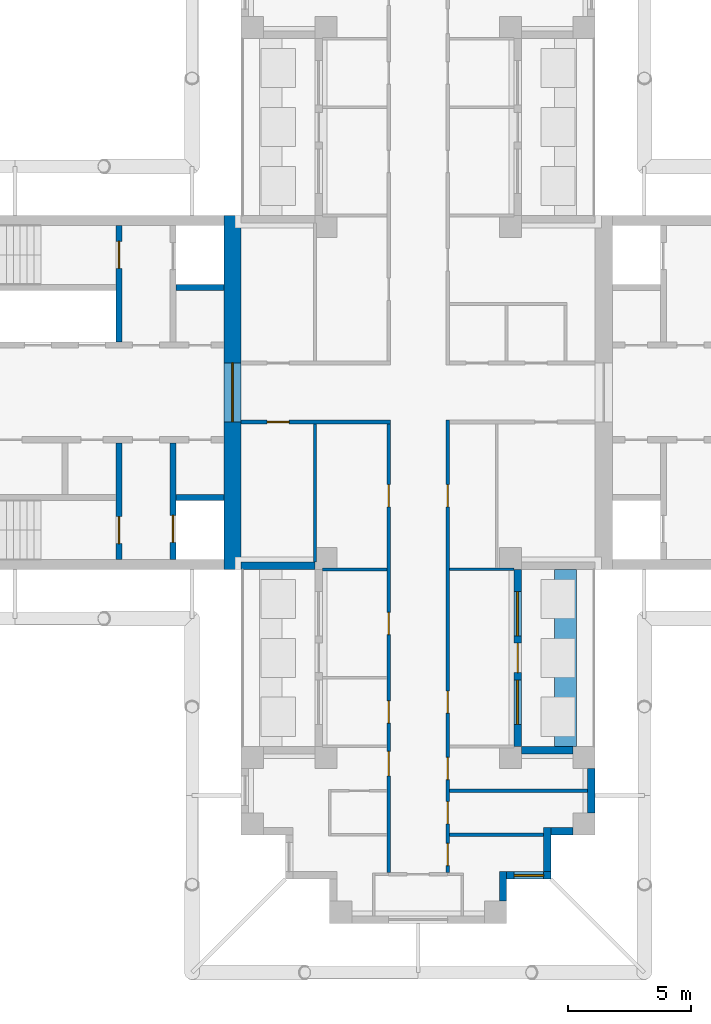
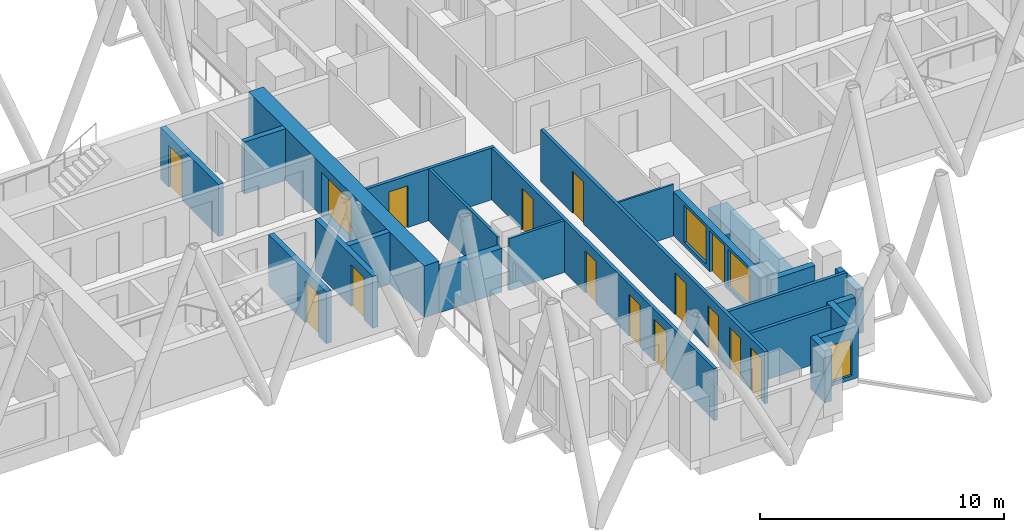
# One storey, part 5 of 12: 23 walls, 15 doors, 3 windows, 18 openings.
"""IFC4 building model written with IfcOpenShell, lengths in metres."""

import ifcopenshell
import ifcopenshell.guid

model = None  # the IFC model being written
_history = None  # IfcOwnerHistory: only IFC2X3 demands one
_inside = {}  # id of a spatial element -> (the spatial element, [elements in it])
_under = {}  # id of a project, library or spatial element -> (it, [spatial elements below it])
_declared = {}  # id of a project -> (the project, [libraries it declares])
_typed = {}  # id of a type object -> (the type object, [elements of that type])
_made_of = {}  # id of a material, layer set ... -> (it, [elements and type objects made of it])


def new_model(schema):
    """Start an empty IFC model of exactly this schema.

    Asked for "IFC4X3", IfcOpenShell would pick the latest addendum, in which some entities
    have other attributes; the version numbers below select the first issue.
    IFC2X3 requires an IfcOwnerHistory on every rooted entity: one is made here for all.
    """
    global model, _history
    if schema == "IFC4X3":
        model = ifcopenshell.file(schema_version=(4, 3, 0, 0))
    else:
        model = ifcopenshell.file(schema=schema)
    _inside.clear()
    _under.clear()
    _declared.clear()
    _typed.clear()
    _made_of.clear()
    _history = None
    if model.schema == "IFC2X3":
        org = make("IfcOrganization", Name="unknown")
        user = make(
            "IfcPersonAndOrganization",
            ThePerson=make("IfcPerson", FamilyName="unknown"),
            TheOrganization=org,
        )
        app = make(
            "IfcApplication",
            ApplicationDeveloper=org,
            Version="unknown",
            ApplicationFullName="unknown",
            ApplicationIdentifier="unknown",
        )
        _history = make(
            "IfcOwnerHistory",
            OwningUser=user,
            OwningApplication=app,
            ChangeAction="ADDED",
            CreationDate=0,
        )
    return model


def make(cls, **values):
    """One entity of the class cls with the attributes given. An attribute that is None is left unset."""
    return model.create_entity(
        cls, **{name: value for name, value in values.items() if value is not None}
    )


def rooted(cls, **values):
    """An entity with a GlobalId (a new one), such as an element, a storey or a relation."""
    return make(cls, GlobalId=ifcopenshell.guid.new(), OwnerHistory=_history, **values)


def si_unit(unit_type, name, prefix=None):
    """IfcSIUnit, for example si_unit("LENGTHUNIT", "METRE", prefix="MILLI")."""
    return make("IfcSIUnit", UnitType=unit_type, Prefix=prefix, Name=name)


def assignment(units):
    """IfcUnitAssignment: the units of a project."""
    return None if units is None else make("IfcUnitAssignment", Units=units)


def point(xyz):
    """IfcCartesianPoint."""
    return None if xyz is None else make("IfcCartesianPoint", Coordinates=xyz)


def direction(xyz):
    """IfcDirection."""
    return None if xyz is None else make("IfcDirection", DirectionRatios=xyz)


def frame(location, z_axis=None, x_axis=None):
    """IfcAxis2Placement3D, a coordinate frame: its origin and axes. An axis left out is left unset."""
    return make(
        "IfcAxis2Placement3D",
        Location=point(location),
        Axis=direction(z_axis),
        RefDirection=direction(x_axis),
    )


def frame_2d(location, x_axis=None):
    """IfcAxis2Placement2D, a coordinate frame in the plane: its origin and x axis."""
    return make(
        "IfcAxis2Placement2D", Location=point(location), RefDirection=direction(x_axis)
    )


def origin():
    """The frame at (0, 0, 0) with its axes left unset."""
    return frame((0.0, 0.0, 0.0))


def place(relative_to, where):
    """IfcLocalPlacement: puts the frame where relative to a parent placement (None: the world)."""
    return make(
        "IfcLocalPlacement", PlacementRelTo=relative_to, RelativePlacement=where
    )


def context(
    kind, dimensions, precision=None, world=None, true_north=None, identifier=None
):
    """IfcGeometricRepresentationContext, for example the 3D "Model" context."""
    return make(
        "IfcGeometricRepresentationContext",
        ContextIdentifier=identifier,
        ContextType=kind,
        CoordinateSpaceDimension=dimensions,
        Precision=precision,
        WorldCoordinateSystem=world,
        TrueNorth=true_north,
    )


def subcontext(parent, identifier, kind, view, scale=None):
    """IfcGeometricRepresentationSubContext, for example "Body" below "Model"."""
    return make(
        "IfcGeometricRepresentationSubContext",
        ContextIdentifier=identifier,
        ContextType=kind,
        ParentContext=parent,
        TargetScale=scale,
        TargetView=view,
    )


def project(units=None, contexts=None):
    """IfcProject with its units and contexts."""
    return rooted(
        "IfcProject",
        Name="project",
        RepresentationContexts=contexts,
        UnitsInContext=assignment(units),
    )


def spatial(cls, under=None, at=None, **own):
    """A site, building, storey or space (cls), placed at a placement, below another one or the project."""
    s = rooted(cls, ObjectPlacement=at, **own)
    if under is not None:
        _under.setdefault(under.id(), (under, []))[1].append(s)
    return s


def profile(cls, at=None, kind="AREA", **sizes):
    """A parametric profile (cls). Its sizes go by their IFC names, for example OverallWidth=200.0."""
    return make(cls, ProfileType=kind, Position=at, **sizes)


def rectangle(**sizes):
    """IfcRectangleProfileDef."""
    return profile("IfcRectangleProfileDef", **sizes)


def extrude(swept, where, along, depth):
    """IfcExtrudedAreaSolid: the profile swept, set in the frame where, extruded along a direction by depth."""
    return make(
        "IfcExtrudedAreaSolid",
        SweptArea=swept,
        Position=where,
        ExtrudedDirection=direction(along),
        Depth=depth,
    )


def shape(context_of_items, identifier, shape_type, items):
    """IfcShapeRepresentation: the items that make up one representation, for example the "Body"."""
    return make(
        "IfcShapeRepresentation",
        ContextOfItems=context_of_items,
        RepresentationIdentifier=identifier,
        RepresentationType=shape_type,
        Items=items,
    )


def material(Name=None, Category=None):
    """IfcMaterial."""
    return make("IfcMaterial", Name=Name, Category=Category)


def layer(
    of_material, thickness, ventilated=None, Name=None, Category=None, Priority=None
):
    """IfcMaterialLayer: one layer of a wall or slab, of a material (None: an air gap)."""
    return make(
        "IfcMaterialLayer",
        Material=of_material,
        LayerThickness=thickness,
        IsVentilated=ventilated,
        Name=Name,
        Category=Category,
        Priority=Priority,
    )


def layer_set(layers, Name=None):
    """IfcMaterialLayerSet."""
    return make("IfcMaterialLayerSet", MaterialLayers=layers, LayerSetName=Name)


def made_of(thing, what):
    """Note that an element or type object is made of a material, layer set ...; save() writes the relation."""
    if what is not None:
        _made_of.setdefault(what.id(), (what, []))[1].append(thing)
    return thing


def type_object(cls, material=None, **own):
    """A type object (cls), such as IfcWallType, which elements share."""
    return made_of(rooted(cls, **own), material)


def element(
    cls,
    number,
    at=None,
    inside=None,
    cuts=None,
    type_object=None,
    material=None,
    context=None,
    identifier="Body",
    shape_type=None,
    held_by="IfcProductDefinitionShape",
    body=None,
    shapes=None,
    **own,
):
    """One element of the class cls, such as IfcWall. Its Tag is "e" and its number.

    at: its placement. inside: the storey or other place that contains it. cuts: it is an
    opening in that element (IfcRelVoidsElement). A single representation is given by context,
    identifier, shape_type and body (its items); several are given by shapes. held_by: the class
    of the entity that holds the representations. save() writes the other relations.
    """
    e = rooted(cls, Tag="e%d" % number, ObjectPlacement=at, **own)
    if body is not None:
        shapes = [shape(context, identifier, shape_type, body)]
    if shapes is not None:
        e.Representation = make(held_by, Representations=shapes)
    if inside is not None:
        _inside.setdefault(inside.id(), (inside, []))[1].append(e)
    if cuts is not None:
        rooted(
            "IfcRelVoidsElement", RelatingBuildingElement=cuts, RelatedOpeningElement=e
        )
    if type_object is not None:
        _typed.setdefault(type_object.id(), (type_object, []))[1].append(e)
    return made_of(e, material)


def fill(opening, filler):
    """IfcRelFillsElement: the door or window that sits in an opening."""
    return rooted(
        "IfcRelFillsElement",
        RelatingOpeningElement=opening,
        RelatedBuildingElement=filler,
    )


def aggregate(whole, parts):
    """IfcRelAggregates: a whole, such as a stair, and the parts it consists of."""
    return rooted("IfcRelAggregates", RelatingObject=whole, RelatedObjects=parts)


def save(model, path):
    """Write the relations noted so far, then the file.

    IfcRelAggregates (storeys below a building ...), IfcRelContainedInSpatialStructure (elements
    in a storey), IfcRelDefinesByType, IfcRelAssociatesMaterial and IfcRelDeclares: one each for
    every whole, place, type object, material and project.
    """
    for whole, parts in _under.values():
        aggregate(whole, parts)
    for where, things in _inside.values():
        rooted(
            "IfcRelContainedInSpatialStructure",
            RelatedElements=things,
            RelatingStructure=where,
        )
    for kind, things in _typed.values():
        rooted("IfcRelDefinesByType", RelatedObjects=things, RelatingType=kind)
    for what, things in _made_of.values():
        rooted("IfcRelAssociatesMaterial", RelatedObjects=things, RelatingMaterial=what)
    for by, libraries in _declared.values():
        rooted("IfcRelDeclares", RelatingContext=by, RelatedDefinitions=libraries)
    model.write(path)


model = new_model("IFC4")

# Units and contexts
model_context = context("Model", 3, precision=1e-05, world=origin(), true_north=direction((0.0, 1.0)))
body_context = subcontext(model_context, "Body", "Model", "MODEL_VIEW")
ifc_project = project(units=[si_unit("LENGTHUNIT", "METRE"), si_unit("AREAUNIT", "SQUARE_METRE"), si_unit("VOLUMEUNIT", "CUBIC_METRE"), si_unit("PLANEANGLEUNIT", "RADIAN"), si_unit("MASSUNIT", "GRAM", prefix="KILO")], contexts=[model_context])

# Site, building, storey
site_placement = place(None, origin())
site = spatial("IfcSite", under=ifc_project, at=site_placement, CompositionType="ELEMENT")
building_placement = place(site_placement, origin())
building = spatial("IfcBuilding", under=site, at=building_placement, Name="Fustian Cross Tower", CompositionType="ELEMENT")
storey_placement = place(building_placement, frame((0.0, 0.0, 179.699951171875)))
storey = spatial("IfcBuildingStorey", under=building, at=storey_placement, Name="L56", CompositionType="ELEMENT", Elevation=179.699951171875)

# Wall, opening, door
ifc_material_1 = material(Name="Plasterboard on steel stud", Category="steel")
ifc_layer_1 = layer(ifc_material_1, 0.14990234375)
ifc_layer_set_1 = layer_set([ifc_layer_1], Name="Plasterboard on steel stud")
wall_type_1 = type_object("IfcWallType", Name="COMPARTMENT WALL 150 EI 60", PredefinedType="PARTITIONING", material=ifc_layer_set_1)
wall_1_placement = place(storey_placement, frame((-7.199951171875, -1.199951171875, 0.0), z_axis=(0.0, 0.0, 1.0), x_axis=(1.0, 0.0, 0.0)))
wall_1 = element("IfcWall", 1, at=wall_1_placement, inside=storey, type_object=wall_type_1, Name="Partition 13", PredefinedType="PARTITIONING", context=body_context, shape_type="SweptSolid", body=[
    extrude(rectangle(XDim=6.074951171875, YDim=0.14990234375, at=frame_2d((3.03759765625, 0.0))), origin(), (0.0, 0.0, 1.0), 2.60009765625),
])
opening_1_placement = place(wall_1_placement, frame((1.050048828125, 0.0, 0.0)))
opening_1 = element("IfcOpeningElement", 2, at=opening_1_placement, cuts=wall_1, Name="Opening D26009", PredefinedType="OPENING", context=body_context, shape_type="SweptSolid", body=[
    extrude(rectangle(XDim=0.89990234375, YDim=2.10009765625, at=frame_2d((0.449951171875, 1.050048828125))), frame((0.0, 0.0849609375, 0.0), z_axis=(0.0, -1.0, 0.0), x_axis=(1.0, 0.0, 0.0)), (0.0, 0.0, 1.0), 0.169921875),
])
ifc_material_2 = material(Name="Timber fire door set", Category="wood")
door_type_1 = type_object("IfcDoorType", Name="FIRE SWING DOOR 900 FD30S", OperationType="SINGLE_SWING_LEFT", PredefinedType="DOOR", material=ifc_material_2)
door_1_placement = place(opening_1_placement, frame((0.89990234375, 0.0, 0.0), z_axis=(0.0, 0.0, 1.0), x_axis=(-1.0, 0.0, 0.0)))
door_1 = element("IfcDoor", 3, at=door_1_placement, inside=storey, type_object=door_type_1, Name="Door D26009", OperationType="SINGLE_SWING_LEFT", OverallHeight=2.10009765625, OverallWidth=0.89990234375, PredefinedType="DOOR", context=body_context, shape_type="SweptSolid", body=[
    extrude(rectangle(XDim=0.89990234375, YDim=2.10009765625, at=frame_2d((0.449951171875, 1.050048828125))), frame((0.0, 0.02490234375, 0.0), z_axis=(0.0, -1.0, 0.0), x_axis=(1.0, 0.0, 0.0)), (0.0, 0.0, 1.0), 0.050048828125),
])
fill(opening_1, door_1)

# Wall, openings, doors
wall_2_placement = place(storey_placement, frame((-1.199951171875, -19.52490234375, 0.0), z_axis=(0.0, 0.0, 1.0), x_axis=(0.0, 1.0, 0.0)))
wall_2 = element("IfcWall", 4, at=wall_2_placement, inside=storey, type_object=wall_type_1, Name="Partition 31", PredefinedType="PARTITIONING", context=body_context, shape_type="SweptSolid", body=[
    extrude(rectangle(XDim=18.25, YDim=0.14990234375, at=frame_2d((9.125, 0.0))), origin(), (0.0, 0.0, 1.0), 2.60009765625),
])
opening_2_placement = place(wall_2_placement, frame((14.875, 0.0, 0.0)))
opening_2 = element("IfcOpeningElement", 5, at=opening_2_placement, cuts=wall_2, Name="Opening D26008", PredefinedType="OPENING", context=body_context, shape_type="SweptSolid", body=[
    extrude(rectangle(XDim=0.89990234375, YDim=2.10009765625, at=frame_2d((0.449951171875, 1.050048828125))), frame((0.0, 0.0849609375, 0.0), z_axis=(0.0, -1.0, 0.0), x_axis=(1.0, 0.0, 0.0)), (0.0, 0.0, 1.0), 0.169921875),
])
opening_3_placement = place(wall_2_placement, frame((6.074951171875, 0.0, 0.0)))
opening_3 = element("IfcOpeningElement", 6, at=opening_3_placement, cuts=wall_2, Name="Opening D26043", PredefinedType="OPENING", context=body_context, shape_type="SweptSolid", body=[
    extrude(rectangle(XDim=0.89990234375, YDim=2.10009765625, at=frame_2d((0.449951171875, 1.050048828125))), frame((0.0, 0.0849609375, 0.0), z_axis=(0.0, -1.0, 0.0), x_axis=(1.0, 0.0, 0.0)), (0.0, 0.0, 1.0), 0.169921875),
])
opening_4_placement = place(wall_2_placement, frame((9.675048828125, 0.0, 0.0)))
opening_4 = element("IfcOpeningElement", 7, at=opening_4_placement, cuts=wall_2, Name="Opening D26044", PredefinedType="OPENING", context=body_context, shape_type="SweptSolid", body=[
    extrude(rectangle(XDim=0.89990234375, YDim=2.10009765625, at=frame_2d((0.449951171875, 1.050048828125))), frame((0.0, 0.0849609375, 0.0), z_axis=(0.0, -1.0, 0.0), x_axis=(1.0, 0.0, 0.0)), (0.0, 0.0, 1.0), 0.169921875),
])
opening_5_placement = place(wall_2_placement, frame((3.925048828125, 0.0, 0.0)))
opening_5 = element("IfcOpeningElement", 8, at=opening_5_placement, cuts=wall_2, Name="Opening D26046", PredefinedType="OPENING", context=body_context, shape_type="SweptSolid", body=[
    extrude(rectangle(XDim=1.0, YDim=2.10009765625, at=frame_2d((0.5, 1.050048828125))), frame((0.0, 0.0849609375, 0.0), z_axis=(0.0, -1.0, 0.0), x_axis=(1.0, 0.0, 0.0)), (0.0, 0.0, 1.0), 0.169921875),
])
ifc_material_3 = material(Name="Timber fire door set", Category="wood")
door_type_2 = type_object("IfcDoorType", Name="FIRE SWING DOOR 1000 FD30S", OperationType="SINGLE_SWING_LEFT", PredefinedType="DOOR", material=ifc_material_3)
door_2_placement = place(opening_5_placement, origin())
door_2 = element("IfcDoor", 9, at=door_2_placement, inside=storey, type_object=door_type_2, Name="Door D26046", OperationType="SINGLE_SWING_RIGHT", OverallHeight=2.10009765625, OverallWidth=1.0, PredefinedType="DOOR", context=body_context, shape_type="SweptSolid", body=[
    extrude(rectangle(XDim=1.0, YDim=2.10009765625, at=frame_2d((0.5, 1.050048828125))), frame((0.0, 0.02490234375, 0.0), z_axis=(0.0, -1.0, 0.0), x_axis=(1.0, 0.0, 0.0)), (0.0, 0.0, 1.0), 0.050048828125),
])
fill(opening_5, door_2)
door_3_placement = place(opening_2_placement, origin())
door_3 = element("IfcDoor", 10, at=door_3_placement, inside=storey, type_object=door_type_1, Name="Door D26008", OperationType="SINGLE_SWING_LEFT", OverallHeight=2.10009765625, OverallWidth=0.89990234375, PredefinedType="DOOR", context=body_context, shape_type="SweptSolid", body=[
    extrude(rectangle(XDim=0.89990234375, YDim=2.10009765625, at=frame_2d((0.449951171875, 1.050048828125))), frame((0.0, 0.02490234375, 0.0), z_axis=(0.0, -1.0, 0.0), x_axis=(1.0, 0.0, 0.0)), (0.0, 0.0, 1.0), 0.050048828125),
])
fill(opening_2, door_3)
door_4_placement = place(opening_3_placement, origin())
door_4 = element("IfcDoor", 11, at=door_4_placement, inside=storey, type_object=door_type_1, Name="Door D26043", OperationType="SINGLE_SWING_LEFT", OverallHeight=2.10009765625, OverallWidth=0.89990234375, PredefinedType="DOOR", context=body_context, shape_type="SweptSolid", body=[
    extrude(rectangle(XDim=0.89990234375, YDim=2.10009765625, at=frame_2d((0.449951171875, 1.050048828125))), frame((0.0, 0.02490234375, 0.0), z_axis=(0.0, -1.0, 0.0), x_axis=(1.0, 0.0, 0.0)), (0.0, 0.0, 1.0), 0.050048828125),
])
fill(opening_3, door_4)
door_5_placement = place(opening_4_placement, origin())
door_5 = element("IfcDoor", 12, at=door_5_placement, inside=storey, type_object=door_type_1, Name="Door D26044", OperationType="SINGLE_SWING_LEFT", OverallHeight=2.10009765625, OverallWidth=0.89990234375, PredefinedType="DOOR", context=body_context, shape_type="SweptSolid", body=[
    extrude(rectangle(XDim=0.89990234375, YDim=2.10009765625, at=frame_2d((0.449951171875, 1.050048828125))), frame((0.0, 0.02490234375, 0.0), z_axis=(0.0, -1.0, 0.0), x_axis=(1.0, 0.0, 0.0)), (0.0, 0.0, 1.0), 0.050048828125),
])
fill(opening_4, door_5)

wall_3_placement = place(storey_placement, frame((1.199951171875, -19.52490234375, 0.0), z_axis=(0.0, 0.0, 1.0), x_axis=(0.0, 1.0, 0.0)))
wall_3 = element("IfcWall", 13, at=wall_3_placement, inside=storey, type_object=wall_type_1, Name="Partition 35", PredefinedType="PARTITIONING", context=body_context, shape_type="SweptSolid", body=[
    extrude(rectangle(XDim=18.39990234375, YDim=0.14990234375, at=frame_2d((9.199951171875, 0.0))), origin(), (0.0, 0.0, 1.0), 2.60009765625),
])
opening_6_placement = place(wall_3_placement, frame((14.875, 0.0, 0.0)))
opening_6 = element("IfcOpeningElement", 14, at=opening_6_placement, cuts=wall_3, Name="Opening D26006", PredefinedType="OPENING", context=body_context, shape_type="SweptSolid", body=[
    extrude(rectangle(XDim=0.89990234375, YDim=2.10009765625, at=frame_2d((0.449951171875, 1.050048828125))), frame((0.0, 0.0849609375, 0.0), z_axis=(0.0, -1.0, 0.0), x_axis=(1.0, 0.0, 0.0)), (0.0, 0.0, 1.0), 0.169921875),
])
opening_7_placement = place(wall_3_placement, frame((6.47509765625, 0.0, 0.0)))
opening_7 = element("IfcOpeningElement", 15, at=opening_7_placement, cuts=wall_3, Name="Opening D26039", PredefinedType="OPENING", context=body_context, shape_type="SweptSolid", body=[
    extrude(rectangle(XDim=0.89990234375, YDim=2.10009765625, at=frame_2d((0.449951171875, 1.050048828125))), frame((0.0, 0.0849609375, 0.0), z_axis=(0.0, -1.0, 0.0), x_axis=(1.0, 0.0, 0.0)), (0.0, 0.0, 1.0), 0.169921875),
])
opening_8_placement = place(wall_3_placement, frame((3.77490234375, 0.0, 0.0)))
opening_8 = element("IfcOpeningElement", 16, at=opening_8_placement, cuts=wall_3, Name="Opening D26040", PredefinedType="OPENING", context=body_context, shape_type="SweptSolid", body=[
    extrude(rectangle(XDim=0.89990234375, YDim=2.10009765625, at=frame_2d((0.449951171875, 1.050048828125))), frame((0.0, 0.0849609375, 0.0), z_axis=(0.0, -1.0, 0.0), x_axis=(1.0, 0.0, 0.0)), (0.0, 0.0, 1.0), 0.169921875),
])
opening_9_placement = place(wall_3_placement, frame((1.97509765625, 0.0, 0.0)))
opening_9 = element("IfcOpeningElement", 17, at=opening_9_placement, cuts=wall_3, Name="Opening D26041", PredefinedType="OPENING", context=body_context, shape_type="SweptSolid", body=[
    extrude(rectangle(XDim=0.89990234375, YDim=2.10009765625, at=frame_2d((0.449951171875, 1.050048828125))), frame((0.0, 0.0849609375, 0.0), z_axis=(0.0, -1.0, 0.0), x_axis=(1.0, 0.0, 0.0)), (0.0, 0.0, 1.0), 0.169921875),
])
opening_10_placement = place(wall_3_placement, frame((0.27490234375, 0.0, 0.0)))
opening_10 = element("IfcOpeningElement", 18, at=opening_10_placement, cuts=wall_3, Name="Opening D26042", PredefinedType="OPENING", context=body_context, shape_type="SweptSolid", body=[
    extrude(rectangle(XDim=0.89990234375, YDim=2.10009765625, at=frame_2d((0.449951171875, 1.050048828125))), frame((0.0, 0.0849609375, 0.0), z_axis=(0.0, -1.0, 0.0), x_axis=(1.0, 0.0, 0.0)), (0.0, 0.0, 1.0), 0.169921875),
])
door_6_placement = place(opening_6_placement, frame((0.89990234375, 0.0, 0.0), z_axis=(0.0, 0.0, 1.0), x_axis=(-1.0, 0.0, 0.0)))
door_6 = element("IfcDoor", 19, at=door_6_placement, inside=storey, type_object=door_type_1, Name="Door D26006", OperationType="SINGLE_SWING_RIGHT", OverallHeight=2.10009765625, OverallWidth=0.89990234375, PredefinedType="DOOR", context=body_context, shape_type="SweptSolid", body=[
    extrude(rectangle(XDim=0.89990234375, YDim=2.10009765625, at=frame_2d((0.449951171875, 1.050048828125))), frame((0.0, 0.02490234375, 0.0), z_axis=(0.0, -1.0, 0.0), x_axis=(1.0, 0.0, 0.0)), (0.0, 0.0, 1.0), 0.050048828125),
])
fill(opening_6, door_6)
door_7_placement = place(opening_7_placement, frame((0.89990234375, 0.0, 0.0), z_axis=(0.0, 0.0, 1.0), x_axis=(-1.0, 0.0, 0.0)))
door_7 = element("IfcDoor", 20, at=door_7_placement, inside=storey, type_object=door_type_1, Name="Door D26039", OperationType="SINGLE_SWING_RIGHT", OverallHeight=2.10009765625, OverallWidth=0.89990234375, PredefinedType="DOOR", context=body_context, shape_type="SweptSolid", body=[
    extrude(rectangle(XDim=0.89990234375, YDim=2.10009765625, at=frame_2d((0.449951171875, 1.050048828125))), frame((0.0, 0.02490234375, 0.0), z_axis=(0.0, -1.0, 0.0), x_axis=(1.0, 0.0, 0.0)), (0.0, 0.0, 1.0), 0.050048828125),
])
fill(opening_7, door_7)
door_8_placement = place(opening_8_placement, frame((0.89990234375, 0.0, 0.0), z_axis=(0.0, 0.0, 1.0), x_axis=(-1.0, 0.0, 0.0)))
door_8 = element("IfcDoor", 21, at=door_8_placement, inside=storey, type_object=door_type_1, Name="Door D26040", OperationType="SINGLE_SWING_LEFT", OverallHeight=2.10009765625, OverallWidth=0.89990234375, PredefinedType="DOOR", context=body_context, shape_type="SweptSolid", body=[
    extrude(rectangle(XDim=0.89990234375, YDim=2.10009765625, at=frame_2d((0.449951171875, 1.050048828125))), frame((0.0, 0.02490234375, 0.0), z_axis=(0.0, -1.0, 0.0), x_axis=(1.0, 0.0, 0.0)), (0.0, 0.0, 1.0), 0.050048828125),
])
fill(opening_8, door_8)
door_9_placement = place(opening_9_placement, frame((0.89990234375, 0.0, 0.0), z_axis=(0.0, 0.0, 1.0), x_axis=(-1.0, 0.0, 0.0)))
door_9 = element("IfcDoor", 22, at=door_9_placement, inside=storey, type_object=door_type_1, Name="Door D26041", OperationType="SINGLE_SWING_LEFT", OverallHeight=2.10009765625, OverallWidth=0.89990234375, PredefinedType="DOOR", context=body_context, shape_type="SweptSolid", body=[
    extrude(rectangle(XDim=0.89990234375, YDim=2.10009765625, at=frame_2d((0.449951171875, 1.050048828125))), frame((0.0, 0.02490234375, 0.0), z_axis=(0.0, -1.0, 0.0), x_axis=(1.0, 0.0, 0.0)), (0.0, 0.0, 1.0), 0.050048828125),
])
fill(opening_9, door_9)
door_10_placement = place(opening_10_placement, frame((0.89990234375, 0.0, 0.0), z_axis=(0.0, 0.0, 1.0), x_axis=(-1.0, 0.0, 0.0)))
door_10 = element("IfcDoor", 23, at=door_10_placement, inside=storey, type_object=door_type_1, Name="Door D26042", OperationType="SINGLE_SWING_RIGHT", OverallHeight=2.10009765625, OverallWidth=0.89990234375, PredefinedType="DOOR", context=body_context, shape_type="SweptSolid", body=[
    extrude(rectangle(XDim=0.89990234375, YDim=2.10009765625, at=frame_2d((0.449951171875, 1.050048828125))), frame((0.0, 0.02490234375, 0.0), z_axis=(0.0, -1.0, 0.0), x_axis=(1.0, 0.0, 0.0)), (0.0, 0.0, 1.0), 0.050048828125),
])
fill(opening_10, door_10)

# Walls
wall_4_placement = place(storey_placement, frame((1.27490234375, -18.0, 0.0), z_axis=(0.0, 0.0, 1.0), x_axis=(1.0, 0.0, 0.0)))
element("IfcWall", 24, at=wall_4_placement, inside=storey, type_object=wall_type_1, Name="Partition 37", PredefinedType="PARTITIONING", context=body_context, shape_type="SweptSolid", body=[
    extrude(rectangle(XDim=3.8251953125, YDim=0.14990234375, at=frame_2d((1.91259765625, 0.0))), origin(), (0.0, 0.0, 1.0), 2.60009765625),
])
wall_5_placement = place(storey_placement, frame((1.27490234375, -16.199951171875, 0.0), z_axis=(0.0, 0.0, 1.0), x_axis=(1.0, 0.0, 0.0)))
element("IfcWall", 25, at=wall_5_placement, inside=storey, type_object=wall_type_1, Name="Partition 38", PredefinedType="PARTITIONING", context=body_context, shape_type="SweptSolid", body=[
    extrude(rectangle(XDim=5.625, YDim=0.14990234375, at=frame_2d((2.8125, 0.0))), origin(), (0.0, 0.0, 1.0), 2.60009765625),
])

# Wall, opening, door
ifc_material_4 = material(Name="Concrete C50/60", Category="concrete")
ifc_layer_2 = layer(ifc_material_4, 0.699951171875)
ifc_layer_set_2 = layer_set([ifc_layer_2], Name="Concrete C50/60")
wall_type_2 = type_object("IfcWallType", Name="CORE END WALL 700 C50/60", PredefinedType="SHEAR", material=ifc_layer_set_2)
wall_6_placement = place(storey_placement, frame((-7.550048828125, -7.199951171875, 0.0), z_axis=(0.0, 0.0, 1.0), x_axis=(0.0, 1.0, 0.0)))
wall_6 = element("IfcWall", 26, at=wall_6_placement, inside=storey, type_object=wall_type_2, Name="Core end wall", PredefinedType="SHEAR", context=body_context, shape_type="SweptSolid", body=[
    extrude(rectangle(XDim=14.39990234375, YDim=0.699951171875, at=frame_2d((7.199951171875, 0.0))), origin(), (0.0, 0.0, 1.0), 2.60009765625),
])
opening_11_placement = place(wall_6_placement, frame((6.0, 0.0, 0.0)))
opening_11 = element("IfcOpeningElement", 27, at=opening_11_placement, cuts=wall_6, Name="Opening CD-23-29", PredefinedType="OPENING", context=body_context, shape_type="SweptSolid", body=[
    extrude(rectangle(XDim=2.39990234375, YDim=2.199951171875, at=frame_2d((1.199951171875, 1.10009765625))), frame((0.0, 0.35986328125, 0.0), z_axis=(0.0, -1.0, 0.0), x_axis=(1.0, 0.0, 0.0)), (0.0, 0.0, 1.0), 0.719970703125),
])
ifc_material_5 = material(Name="Steel", Category="steel")
door_type_3 = type_object("IfcDoorType", Name="FIRE DOOR FD30S DOUBLE 2400X2200", OperationType="DOUBLE_DOOR_DOUBLE_SWING", PredefinedType="DOOR", material=ifc_material_5)
door_11_placement = place(opening_11_placement, origin())
door_11 = element("IfcDoor", 28, at=door_11_placement, inside=storey, type_object=door_type_3, Name="Core door CD-23-29", OperationType="DOUBLE_DOOR_DOUBLE_SWING", OverallHeight=2.199951171875, OverallWidth=2.39990234375, PredefinedType="DOOR", context=body_context, shape_type="SweptSolid", body=[
    extrude(rectangle(XDim=2.39990234375, YDim=2.199951171875, at=frame_2d((1.199951171875, 1.10009765625))), frame((0.0, 0.02490234375, 0.0), z_axis=(0.0, -1.0, 0.0), x_axis=(1.0, 0.0, 0.0)), (0.0, 0.0, 1.0), 0.050048828125),
])
fill(opening_11, door_11)

# Wall
ifc_material_6 = material(Name="Concrete C50/60", Category="concrete")
ifc_layer_3 = layer(ifc_material_6, 0.25)
ifc_layer_set_3 = layer_set([ifc_layer_3], Name="Concrete C50/60")
wall_type_3 = type_object("IfcWallType", Name="CORE SHAFT WALL 250 C50/60", PredefinedType="SHEAR", material=ifc_layer_set_3)
wall_7_placement = place(storey_placement, frame((-7.89990234375, 4.27490234375, 0.0), z_axis=(0.0, 0.0, 1.0), x_axis=(-1.0, 0.0, 0.0)))
element("IfcWall", 29, at=wall_7_placement, inside=storey, type_object=wall_type_3, Name="Core shaft wall", PredefinedType="SHEAR", context=body_context, shape_type="SweptSolid", body=[
    extrude(rectangle(XDim=1.9501953125, YDim=0.25, at=frame_2d((0.97509765625, 0.0))), origin(), (0.0, 0.0, 1.0), 2.60009765625),
])

# Wall, opening, door
wall_8_placement = place(storey_placement, frame((-12.175048828125, 2.050048828125, 0.0), z_axis=(0.0, 0.0, 1.0), x_axis=(0.0, 1.0, 0.0)))
wall_8 = element("IfcWall", 30, at=wall_8_placement, inside=storey, type_object=wall_type_3, Name="Core shaft wall", PredefinedType="SHEAR", context=body_context, shape_type="SweptSolid", body=[
    extrude(rectangle(XDim=4.75, YDim=0.25, at=frame_2d((2.375, 0.0))), origin(), (0.0, 0.0, 1.0), 2.60009765625),
])
opening_12_placement = place(wall_8_placement, frame((3.0, 0.0, 0.0)))
opening_12 = element("IfcOpeningElement", 31, at=opening_12_placement, cuts=wall_8, Name="Opening CD-23-23", PredefinedType="OPENING", context=body_context, shape_type="SweptSolid", body=[
    extrude(rectangle(XDim=1.10009765625, YDim=2.10009765625, at=frame_2d((0.550048828125, 1.050048828125))), frame((0.0, 0.135009765625, 0.0), z_axis=(0.0, -1.0, 0.0), x_axis=(1.0, 0.0, 0.0)), (0.0, 0.0, 1.0), 0.27001953125),
])
ifc_material_7 = material(Name="Steel", Category="steel")
door_type_4 = type_object("IfcDoorType", Name="FIRE DOOR FD60S 1100X2100", OperationType="SINGLE_SWING_LEFT", PredefinedType="DOOR", material=ifc_material_7)
door_12_placement = place(opening_12_placement, origin())
door_12 = element("IfcDoor", 32, at=door_12_placement, inside=storey, type_object=door_type_4, Name="Core door CD-23-23", OperationType="SINGLE_SWING_LEFT", OverallHeight=2.10009765625, OverallWidth=1.10009765625, PredefinedType="DOOR", context=body_context, shape_type="SweptSolid", body=[
    extrude(rectangle(XDim=1.10009765625, YDim=2.10009765625, at=frame_2d((0.550048828125, 1.050048828125))), frame((0.0, 0.02490234375, 0.0), z_axis=(0.0, -1.0, 0.0), x_axis=(1.0, 0.0, 0.0)), (0.0, 0.0, 1.0), 0.050048828125),
])
fill(opening_12, door_12)

# Wall
wall_9_placement = place(storey_placement, frame((-7.89990234375, -4.27490234375, 0.0), z_axis=(0.0, 0.0, 1.0), x_axis=(-1.0, 0.0, 0.0)))
element("IfcWall", 33, at=wall_9_placement, inside=storey, type_object=wall_type_3, Name="Core shaft wall", PredefinedType="SHEAR", context=body_context, shape_type="SweptSolid", body=[
    extrude(rectangle(XDim=1.9501953125, YDim=0.25, at=frame_2d((0.97509765625, 0.0))), origin(), (0.0, 0.0, 1.0), 2.60009765625),
])

# Wall, opening, door
wall_10_placement = place(storey_placement, frame((-9.97509765625, -2.050048828125, 0.0), z_axis=(0.0, 0.0, 1.0), x_axis=(0.0, -1.0, 0.0)))
wall_10 = element("IfcWall", 34, at=wall_10_placement, inside=storey, type_object=wall_type_3, Name="Core shaft wall", PredefinedType="SHEAR", context=body_context, shape_type="SweptSolid", body=[
    extrude(rectangle(XDim=4.75, YDim=0.25, at=frame_2d((2.375, 0.0))), origin(), (0.0, 0.0, 1.0), 2.60009765625),
])
opening_13_placement = place(wall_10_placement, frame((2.949951171875, 0.0, 0.0)))
opening_13 = element("IfcOpeningElement", 35, at=opening_13_placement, cuts=wall_10, Name="Opening LD", PredefinedType="OPENING", context=body_context, shape_type="SweptSolid", body=[
    extrude(rectangle(XDim=1.10009765625, YDim=2.10009765625, at=frame_2d((0.550048828125, 1.050048828125))), frame((0.0, 0.135009765625, 0.0), z_axis=(0.0, -1.0, 0.0), x_axis=(1.0, 0.0, 0.0)), (0.0, 0.0, 1.0), 0.27001953125),
])
ifc_material_8 = material(Name="Stainless steel", Category="steel")
door_type_5 = type_object("IfcDoorType", Name="LIFT LANDING DOOR 1100X2100", OperationType="SLIDING_TO_LEFT", PredefinedType="DOOR", material=ifc_material_8)
door_13_placement = place(opening_13_placement, origin())
door_13 = element("IfcDoor", 36, at=door_13_placement, inside=storey, type_object=door_type_5, Name="Landing door SV1W", OperationType="SLIDING_TO_LEFT", OverallHeight=2.10009765625, OverallWidth=1.10009765625, PredefinedType="DOOR", context=body_context, shape_type="SweptSolid", body=[
    extrude(rectangle(XDim=1.10009765625, YDim=2.10009765625, at=frame_2d((0.550048828125, 1.050048828125))), frame((0.0, 0.02490234375, 0.0), z_axis=(0.0, -1.0, 0.0), x_axis=(1.0, 0.0, 0.0)), (0.0, 0.0, 1.0), 0.050048828125),
])
fill(opening_13, door_13)

wall_11_placement = place(storey_placement, frame((-12.175048828125, -2.050048828125, 0.0), z_axis=(0.0, 0.0, 1.0), x_axis=(0.0, -1.0, 0.0)))
wall_11 = element("IfcWall", 37, at=wall_11_placement, inside=storey, type_object=wall_type_3, Name="Core shaft wall", PredefinedType="SHEAR", context=body_context, shape_type="SweptSolid", body=[
    extrude(rectangle(XDim=4.75, YDim=0.25, at=frame_2d((2.375, 0.0))), origin(), (0.0, 0.0, 1.0), 2.60009765625),
])
opening_14_placement = place(wall_11_placement, frame((3.0, 0.0, 0.0)))
opening_14 = element("IfcOpeningElement", 38, at=opening_14_placement, cuts=wall_11, Name="Opening CD-23-24", PredefinedType="OPENING", context=body_context, shape_type="SweptSolid", body=[
    extrude(rectangle(XDim=1.10009765625, YDim=2.10009765625, at=frame_2d((0.550048828125, 1.050048828125))), frame((0.0, 0.135009765625, 0.0), z_axis=(0.0, -1.0, 0.0), x_axis=(1.0, 0.0, 0.0)), (0.0, 0.0, 1.0), 0.27001953125),
])
door_14_placement = place(opening_14_placement, frame((1.10009765625, 0.0, 0.0), z_axis=(0.0, 0.0, 1.0), x_axis=(-1.0, 0.0, 0.0)))
door_14 = element("IfcDoor", 39, at=door_14_placement, inside=storey, type_object=door_type_4, Name="Core door CD-23-24", OperationType="SINGLE_SWING_RIGHT", OverallHeight=2.10009765625, OverallWidth=1.10009765625, PredefinedType="DOOR", context=body_context, shape_type="SweptSolid", body=[
    extrude(rectangle(XDim=1.10009765625, YDim=2.10009765625, at=frame_2d((0.550048828125, 1.050048828125))), frame((0.0, 0.02490234375, 0.0), z_axis=(0.0, -1.0, 0.0), x_axis=(1.0, 0.0, 0.0)), (0.0, 0.0, 1.0), 0.050048828125),
])
fill(opening_14, door_14)

# Walls
ifc_material_9 = material(Name="Plasterboard on steel stud", Category="steel")
ifc_layer_4 = layer(ifc_material_9, 0.10009765625)
ifc_layer_set_4 = layer_set([ifc_layer_4], Name="Plasterboard on steel stud")
wall_type_4 = type_object("IfcWallType", Name="PARTITION 100 STUD", PredefinedType="PARTITIONING", material=ifc_layer_set_4)
wall_12_placement = place(storey_placement, frame((1.27490234375, -7.199951171875, 0.0), z_axis=(0.0, 0.0, 1.0), x_axis=(1.0, 0.0, 0.0)))
element("IfcWall", 40, at=wall_12_placement, inside=storey, type_object=wall_type_4, Name="Partition 40", PredefinedType="PARTITIONING", context=body_context, shape_type="SweptSolid", body=[
    extrude(rectangle(XDim=2.625, YDim=0.10009765625, at=frame_2d((1.3125, 0.0))), origin(), (0.0, 0.0, 1.0), 2.60009765625),
])
ifc_material_10 = material(Name="Concrete C40/50", Category="concrete")
ifc_layer_5 = layer(ifc_material_10, 0.89990234375)
ifc_layer_set_5 = layer_set([ifc_layer_5], Name="Concrete C40/50")
wall_type_5 = type_object("IfcWallType", Name="PK1 PLANTER 900", PredefinedType="PARAPET", material=ifc_layer_set_5)
wall_13_placement = place(storey_placement, frame((6.0, -14.39990234375, 0.0), z_axis=(0.0, 0.0, 1.0), x_axis=(0.0, 1.0, 0.0)))
element("IfcWall", 41, at=wall_13_placement, inside=storey, type_object=wall_type_5, Name="PLANTER", PredefinedType="PARAPET", context=body_context, shape_type="SweptSolid", body=[
    extrude(rectangle(XDim=7.199951171875, YDim=0.89990234375, at=frame_2d((3.60009765625, 0.0))), origin(), (0.0, 0.0, 1.0), 0.800048828125),
])
ifc_material_11 = material(Name="Plasterboard on steel stud", Category="steel")
ifc_layer_6 = layer(ifc_material_11, 0.125)
ifc_layer_set_6 = layer_set([ifc_layer_6], Name="Plasterboard on steel stud")
wall_type_6 = type_object("IfcWallType", Name="WET WALL 125 STUD", PredefinedType="PARTITIONING", material=ifc_layer_set_6)
wall_14_placement = place(storey_placement, frame((-4.199951171875, -6.89990234375, 0.0), z_axis=(0.0, 0.0, 1.0), x_axis=(0.0, 1.0, 0.0)))
element("IfcWall", 42, at=wall_14_placement, inside=storey, type_object=wall_type_6, Name="Partition 16", PredefinedType="PARTITIONING", context=body_context, shape_type="SweptSolid", body=[
    extrude(rectangle(XDim=5.625, YDim=0.125, at=frame_2d((2.8125, 0.0))), origin(), (0.0, 0.0, 1.0), 2.60009765625),
])
wall_15_placement = place(storey_placement, frame((-3.89990234375, -7.199951171875, 0.0), z_axis=(0.0, 0.0, 1.0), x_axis=(1.0, 0.0, 0.0)))
element("IfcWall", 43, at=wall_15_placement, inside=storey, type_object=wall_type_6, Name="Partition 20", PredefinedType="PARTITIONING", context=body_context, shape_type="SweptSolid", body=[
    extrude(rectangle(XDim=2.625, YDim=0.125, at=frame_2d((1.3125, 0.0))), origin(), (0.0, 0.0, 1.0), 2.60009765625),
])
ifc_material_12 = material(Name="Dark aluminium cladding on insulated backing wall", Category="aluminium")
ifc_layer_7 = layer(ifc_material_12, 0.300048828125)
ifc_layer_set_7 = layer_set([ifc_layer_7], Name="Dark aluminium cladding on insulated backing wall")
wall_type_7 = type_object("IfcWallType", Name="XW1 EXTERNAL WALL 300", PredefinedType="SOLIDWALL", material=ifc_layer_set_7)
wall_16_placement = place(storey_placement, frame((-7.199951171875, -7.050048828125, 0.0), z_axis=(0.0, 0.0, 1.0), x_axis=(1.0, 0.0, 0.0)))
element("IfcWall", 44, at=wall_16_placement, inside=storey, type_object=wall_type_7, Name="External wall", PredefinedType="SOLIDWALL", context=body_context, shape_type="SweptSolid", body=[
    extrude(rectangle(XDim=3.0, YDim=0.300048828125, at=frame_2d((1.5, 0.0))), origin(), (0.0, 0.0, 1.0), 2.199951171875),
])
wall_17_placement = place(storey_placement, frame((3.449951171875, -20.699951171875, 0.0), z_axis=(0.0, 0.0, 1.0), x_axis=(0.0, 1.0, 0.0)))
element("IfcWall", 45, at=wall_17_placement, inside=storey, type_object=wall_type_7, Name="External wall", PredefinedType="SOLIDWALL", context=body_context, shape_type="SweptSolid", body=[
    extrude(rectangle(XDim=1.199951171875, YDim=0.300048828125, at=frame_2d((0.60009765625, 0.0))), origin(), (0.0, 0.0, 1.0), 2.60009765625),
])

# Wall, opening, window
wall_18_placement = place(storey_placement, frame((3.60009765625, -19.64990234375, 0.0), z_axis=(0.0, 0.0, 1.0), x_axis=(1.0, 0.0, 0.0)))
wall_18 = element("IfcWall", 46, at=wall_18_placement, inside=storey, type_object=wall_type_7, Name="External wall", PredefinedType="SOLIDWALL", context=body_context, shape_type="SweptSolid", body=[
    extrude(rectangle(XDim=1.7998046875, YDim=0.300048828125, at=frame_2d((0.89990234375, 0.0))), origin(), (0.0, 0.0, 1.0), 2.60009765625),
])
opening_15_placement = place(wall_18_placement, frame((0.300048828125, 0.0, 0.199951171875)))
opening_15 = element("IfcOpeningElement", 47, at=opening_15_placement, cuts=wall_18, Name="Opening WN3", PredefinedType="OPENING", context=body_context, shape_type="SweptSolid", body=[
    extrude(rectangle(XDim=1.199951171875, YDim=1.85009765625, at=frame_2d((0.60009765625, 0.925048828125))), frame((0.0, 0.159912109375, 0.0), z_axis=(0.0, -1.0, 0.0), x_axis=(1.0, 0.0, 0.0)), (0.0, 0.0, 1.0), 0.320068359375),
])
ifc_material_13 = material(Name="Dark anodised aluminium and double glazing", Category="aluminium")
window_type_1 = type_object("IfcWindowType", Name="WN3 WINDOW 1200X1850", PartitioningType="SINGLE_PANEL", PredefinedType="WINDOW", material=ifc_material_13)
window_1_placement = place(opening_15_placement, origin())
window_1 = element("IfcWindow", 48, at=window_1_placement, inside=storey, type_object=window_type_1, Name="Window", OverallHeight=1.85009765625, OverallWidth=1.199951171875, PartitioningType="SINGLE_PANEL", PredefinedType="WINDOW", context=body_context, shape_type="SweptSolid", body=[
    extrude(rectangle(XDim=1.199951171875, YDim=1.85009765625, at=frame_2d((0.60009765625, 0.925048828125))), frame((0.0, 0.030029296875, 0.0), z_axis=(0.0, -1.0, 0.0), x_axis=(1.0, 0.0, 0.0)), (0.0, 0.0, 1.0), 0.06005859375),
])
fill(opening_15, window_1)

# Walls
wall_19_placement = place(storey_placement, frame((5.25, -19.5, 0.0), z_axis=(0.0, 0.0, 1.0), x_axis=(0.0, 1.0, 0.0)))
element("IfcWall", 49, at=wall_19_placement, inside=storey, type_object=wall_type_7, Name="External wall", PredefinedType="SOLIDWALL", context=body_context, shape_type="SweptSolid", body=[
    extrude(rectangle(XDim=1.800048828125, YDim=0.300048828125, at=frame_2d((0.89990234375, 0.0))), origin(), (0.0, 0.0, 1.0), 2.60009765625),
])
wall_20_placement = place(storey_placement, frame((5.39990234375, -17.85009765625, 0.0), z_axis=(0.0, 0.0, 1.0), x_axis=(1.0, 0.0, 0.0)))
element("IfcWall", 50, at=wall_20_placement, inside=storey, type_object=wall_type_7, Name="External wall", PredefinedType="SOLIDWALL", context=body_context, shape_type="SweptSolid", body=[
    extrude(rectangle(XDim=0.900146484375, YDim=0.300048828125, at=frame_2d((0.4501953125, 0.0))), origin(), (0.0, 0.0, 1.0), 2.60009765625),
])
wall_21_placement = place(storey_placement, frame((7.050048828125, -17.10009765625, 0.0), z_axis=(0.0, 0.0, 1.0), x_axis=(0.0, 1.0, 0.0)))
element("IfcWall", 51, at=wall_21_placement, inside=storey, type_object=wall_type_7, Name="External wall", PredefinedType="SOLIDWALL", context=body_context, shape_type="SweptSolid", body=[
    extrude(rectangle(XDim=1.800048828125, YDim=0.300048828125, at=frame_2d((0.89990234375, 0.0))), origin(), (0.0, 0.0, 1.0), 2.199951171875),
])
wall_22_placement = place(storey_placement, frame((6.300048828125, -14.550048828125, 0.0), z_axis=(0.0, 0.0, 1.0), x_axis=(-1.0, 0.0, 0.0)))
element("IfcWall", 52, at=wall_22_placement, inside=storey, type_object=wall_type_7, Name="External wall", PredefinedType="SOLIDWALL", context=body_context, shape_type="SweptSolid", body=[
    extrude(rectangle(XDim=2.10009765625, YDim=0.300048828125, at=frame_2d((1.050048828125, 0.0))), origin(), (0.0, 0.0, 1.0), 2.199951171875),
])

# Wall, openings, door, windows
wall_23_placement = place(storey_placement, frame((4.050048828125, -14.39990234375, 0.0), z_axis=(0.0, 0.0, 1.0), x_axis=(0.0, 1.0, 0.0)))
wall_23 = element("IfcWall", 53, at=wall_23_placement, inside=storey, type_object=wall_type_7, Name="External wall", PredefinedType="SOLIDWALL", context=body_context, shape_type="SweptSolid", body=[
    extrude(rectangle(XDim=7.199951171875, YDim=0.300048828125, at=frame_2d((3.60009765625, 0.0))), origin(), (0.0, 0.0, 1.0), 2.199951171875),
])
opening_16_placement = place(wall_23_placement, frame((3.0, 0.0, 0.0)))
opening_16 = element("IfcOpeningElement", 54, at=opening_16_placement, cuts=wall_23, Name="Opening XD3", PredefinedType="OPENING", context=body_context, shape_type="SweptSolid", body=[
    extrude(rectangle(XDim=1.199951171875, YDim=2.050048828125, at=frame_2d((0.60009765625, 1.02490234375))), frame((0.0, 0.159912109375, 0.0), z_axis=(0.0, -1.0, 0.0), x_axis=(1.0, 0.0, 0.0)), (0.0, 0.0, 1.0), 0.320068359375),
])
opening_17_placement = place(wall_23_placement, frame((0.89990234375, 0.0, 0.199951171875)))
opening_17 = element("IfcOpeningElement", 55, at=opening_17_placement, cuts=wall_23, Name="Opening WN2", PredefinedType="OPENING", context=body_context, shape_type="SweptSolid", body=[
    extrude(rectangle(XDim=1.800048828125, YDim=1.85009765625, at=frame_2d((0.89990234375, 0.925048828125))), frame((0.0, 0.159912109375, 0.0), z_axis=(0.0, -1.0, 0.0), x_axis=(1.0, 0.0, 0.0)), (0.0, 0.0, 1.0), 0.320068359375),
])
opening_18_placement = place(wall_23_placement, frame((4.5, 0.0, 0.199951171875)))
opening_18 = element("IfcOpeningElement", 56, at=opening_18_placement, cuts=wall_23, Name="Opening WN2", PredefinedType="OPENING", context=body_context, shape_type="SweptSolid", body=[
    extrude(rectangle(XDim=1.800048828125, YDim=1.85009765625, at=frame_2d((0.89990234375, 0.925048828125))), frame((0.0, 0.159912109375, 0.0), z_axis=(0.0, -1.0, 0.0), x_axis=(1.0, 0.0, 0.0)), (0.0, 0.0, 1.0), 0.320068359375),
])
ifc_material_14 = material(Name="Dark anodised aluminium and double glazing", Category="aluminium")
door_type_6 = type_object("IfcDoorType", Name="ED1 BALCONY DOOR 1200X2050", OperationType="SINGLE_SWING_LEFT", PredefinedType="DOOR", material=ifc_material_14)
door_15_placement = place(opening_16_placement, origin())
door_15 = element("IfcDoor", 57, at=door_15_placement, inside=storey, type_object=door_type_6, Name="Balcony door", OperationType="SINGLE_SWING_LEFT", OverallHeight=2.050048828125, OverallWidth=1.199951171875, PredefinedType="DOOR", context=body_context, shape_type="SweptSolid", body=[
    extrude(rectangle(XDim=1.199951171875, YDim=2.050048828125, at=frame_2d((0.60009765625, 1.02490234375))), frame((0.0, 0.02490234375, 0.0), z_axis=(0.0, -1.0, 0.0), x_axis=(1.0, 0.0, 0.0)), (0.0, 0.0, 1.0), 0.050048828125),
])
fill(opening_16, door_15)
ifc_material_15 = material(Name="Dark anodised aluminium and double glazing", Category="aluminium")
window_type_2 = type_object("IfcWindowType", Name="WN2 WINDOW 1800X1850", PartitioningType="SINGLE_PANEL", PredefinedType="WINDOW", material=ifc_material_15)
window_2_placement = place(opening_17_placement, origin())
window_2 = element("IfcWindow", 58, at=window_2_placement, inside=storey, type_object=window_type_2, Name="Window", OverallHeight=1.85009765625, OverallWidth=1.800048828125, PartitioningType="SINGLE_PANEL", PredefinedType="WINDOW", context=body_context, shape_type="SweptSolid", body=[
    extrude(rectangle(XDim=1.800048828125, YDim=1.85009765625, at=frame_2d((0.89990234375, 0.925048828125))), frame((0.0, 0.030029296875, 0.0), z_axis=(0.0, -1.0, 0.0), x_axis=(1.0, 0.0, 0.0)), (0.0, 0.0, 1.0), 0.06005859375),
])
fill(opening_17, window_2)
window_3_placement = place(opening_18_placement, origin())
window_3 = element("IfcWindow", 59, at=window_3_placement, inside=storey, type_object=window_type_2, Name="Window", OverallHeight=1.85009765625, OverallWidth=1.800048828125, PartitioningType="SINGLE_PANEL", PredefinedType="WINDOW", context=body_context, shape_type="SweptSolid", body=[
    extrude(rectangle(XDim=1.800048828125, YDim=1.85009765625, at=frame_2d((0.89990234375, 0.925048828125))), frame((0.0, 0.030029296875, 0.0), z_axis=(0.0, -1.0, 0.0), x_axis=(1.0, 0.0, 0.0)), (0.0, 0.0, 1.0), 0.06005859375),
])
fill(opening_18, window_3)

save(model, "model.ifc")
